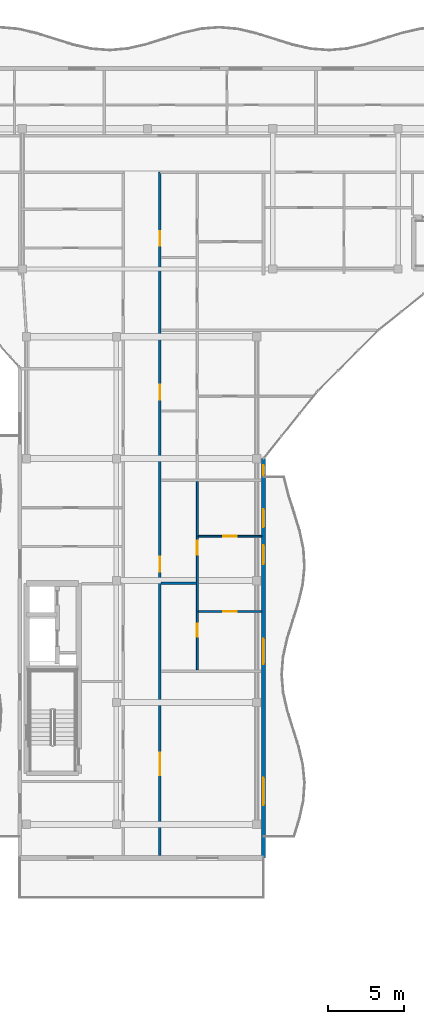
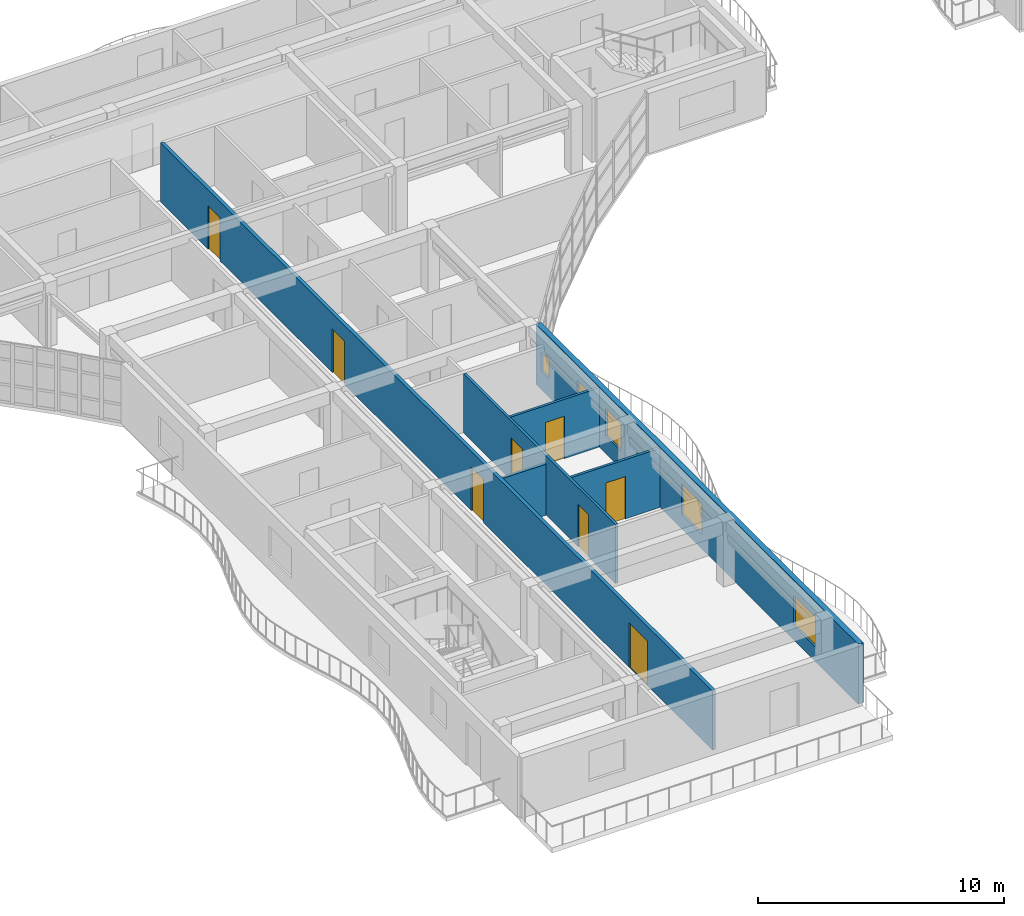
# One storey, part 26 of 54: 9 doors, 6 walls, 4 windows, 13 openings.
"""IFC4 building model written with IfcOpenShell, lengths in metres."""

from ifc_helpers import new_model, si_unit, direction, frame, frame_2d, origin, place, context, subcontext, project, spatial, rectangle, extrude, material, layer, layer_set, type_object, element, fill, save


model = new_model("IFC4")

# Units and contexts
model_context = context("Model", 3, precision=1e-05, world=origin(), true_north=direction((0.0, 1.0)))
body_context = subcontext(model_context, "Body", "Model", "MODEL_VIEW")
ifc_project = project(units=[si_unit("LENGTHUNIT", "METRE"), si_unit("AREAUNIT", "SQUARE_METRE"), si_unit("VOLUMEUNIT", "CUBIC_METRE"), si_unit("PLANEANGLEUNIT", "RADIAN"), si_unit("MASSUNIT", "GRAM", prefix="KILO")], contexts=[model_context])

# Site, building, storey
site_placement = place(None, origin())
site = spatial("IfcSite", under=ifc_project, at=site_placement, CompositionType="ELEMENT")
building_placement = place(site_placement, origin())
building = spatial("IfcBuilding", under=site, at=building_placement, Name="Keldmere Railside Commons", CompositionType="ELEMENT")
storey_placement = place(building_placement, frame((0.0, 0.0, 26.56005859375)))
storey = spatial("IfcBuildingStorey", under=building, at=storey_placement, Name="L08", CompositionType="ELEMENT", Elevation=26.56005859375)

# Wall, openings, doors
ifc_material_1 = material(Name="Acoustic Gypsum Board Partition", Category="gypsum")
ifc_layer_1 = layer(ifc_material_1, 0.1201171875, Name="Apartment Interior Partition 120")
ifc_layer_set_1 = layer_set([ifc_layer_1], Name="Acoustic Gypsum Board Partition")
wall_type_1 = type_object("IfcWallType", Name="Apartment Interior Partition 120", PredefinedType="PARTITIONING", material=ifc_layer_set_1)
wall_1_placement = place(storey_placement, frame((59.659912109375, 74.139892578125, 0.0), z_axis=(0.0, 0.0, 1.0), x_axis=(0.0, 1.0, 0.0)))
wall_1 = element("IfcWall", 1, at=wall_1_placement, inside=storey, type_object=wall_type_1, Name="IW-4 IW-L08-0827", PredefinedType="PARTITIONING", context=body_context, shape_type="SweptSolid", body=[
    extrude(rectangle(XDim=12.35009765625, YDim=0.1201171875, at=frame_2d((6.175048828125, 0.0))), origin(), (0.0, 0.0, 1.0), 2.93505859375),
])
opening_1_placement = place(wall_1_placement, frame((2.158447265625, 0.0, 0.0)))
opening_1 = element("IfcOpeningElement", 2, at=opening_1_placement, cuts=wall_1, Name="Opening ID-04", PredefinedType="OPENING", context=body_context, shape_type="SweptSolid", body=[
    extrude(rectangle(XDim=0.860107421875, YDim=2.10009765625, at=frame_2d((0.43017578125, 1.050048828125))), frame((0.0, 0.070068359375, 0.0), z_axis=(0.0, -1.0, 0.0), x_axis=(1.0, 0.0, 0.0)), (0.0, 0.0, 1.0), 0.14013671875),
])
opening_2_placement = place(wall_1_placement, frame((7.547607421875, 0.0, 0.0)))
opening_2 = element("IfcOpeningElement", 3, at=opening_2_placement, cuts=wall_1, Name="Opening ID-03", PredefinedType="OPENING", context=body_context, shape_type="SweptSolid", body=[
    extrude(rectangle(XDim=0.919921875, YDim=2.10009765625, at=frame_2d((0.4599609375, 1.050048828125))), frame((0.0, 0.070068359375, 0.0), z_axis=(0.0, -1.0, 0.0), x_axis=(1.0, 0.0, 0.0)), (0.0, 0.0, 1.0), 0.14013671875),
])
ifc_material_2 = material(Name="Engineered Oak Timber", Category="wood")
door_type_1 = type_object("IfcDoorType", Name="Apartment Bathroom Door 860x2100", OperationType="NOTDEFINED", PredefinedType="DOOR", material=ifc_material_2)
door_1_placement = place(opening_1_placement, origin())
door_1 = element("IfcDoor", 4, at=door_1_placement, inside=storey, type_object=door_type_1, Name="ID-04 IDR-L08-0704", OperationType="SINGLE_SWING_RIGHT", OverallHeight=2.10009765625, OverallWidth=0.860107421875, PredefinedType="DOOR", context=body_context, shape_type="SweptSolid", body=[
    extrude(rectangle(XDim=0.860107421875, YDim=2.10009765625, at=frame_2d((0.43017578125, 1.050048828125))), frame((0.0, 0.02490234375, 0.0), z_axis=(0.0, -1.0, 0.0), x_axis=(1.0, 0.0, 0.0)), (0.0, 0.0, 1.0), 0.050048828125),
])
fill(opening_1, door_1)
door_type_2 = type_object("IfcDoorType", Name="Kitchen Pocket-Frame Swing Door 920x2100", OperationType="NOTDEFINED", PredefinedType="DOOR", material=ifc_material_2)
door_2_placement = place(opening_2_placement, origin())
door_2 = element("IfcDoor", 5, at=door_2_placement, inside=storey, type_object=door_type_2, Name="ID-03 IDR-L08-0705", OperationType="SINGLE_SWING_LEFT", OverallHeight=2.10009765625, OverallWidth=0.919921875, PredefinedType="DOOR", context=body_context, shape_type="SweptSolid", body=[
    extrude(rectangle(XDim=0.919921875, YDim=2.10009765625, at=frame_2d((0.4599609375, 1.050048828125))), frame((0.0, 0.02490234375, 0.0), z_axis=(0.0, -1.0, 0.0), x_axis=(1.0, 0.0, 0.0)), (0.0, 0.0, 1.0), 0.050048828125),
])
fill(opening_2, door_2)

# Wall, opening, door
wall_2_placement = place(storey_placement, frame((59.719970703125, 77.969970703125, 0.0), z_axis=(0.0, 0.0, 1.0), x_axis=(1.0, 0.0, 0.0)))
wall_2 = element("IfcWall", 6, at=wall_2_placement, inside=storey, type_object=wall_type_1, Name="IW-4 IW-L08-0829", PredefinedType="PARTITIONING", context=body_context, shape_type="SweptSolid", body=[
    extrude(rectangle(XDim=4.159912109375, YDim=0.1201171875, at=frame_2d((2.080078125, 0.0))), origin(), (0.0, 0.0, 1.0), 2.93505859375),
])
opening_3_placement = place(wall_2_placement, frame((1.6298828125, 0.0, 0.0)))
opening_3 = element("IfcOpeningElement", 7, at=opening_3_placement, cuts=wall_2, Name="Opening ID-01", PredefinedType="OPENING", context=body_context, shape_type="SweptSolid", body=[
    extrude(rectangle(XDim=0.89990234375, YDim=2.10009765625, at=frame_2d((0.449951171875, 1.050048828125))), frame((0.0, 0.070068359375, 0.0), z_axis=(0.0, -1.0, 0.0), x_axis=(1.0, 0.0, 0.0)), (0.0, 0.0, 1.0), 0.14013671875),
])
door_type_3 = type_object("IfcDoorType", Name="Primary Bedroom Door 900x2100", OperationType="NOTDEFINED", PredefinedType="DOOR", material=ifc_material_2)
door_3_placement = place(opening_3_placement, origin())
door_3 = element("IfcDoor", 8, at=door_3_placement, inside=storey, type_object=door_type_3, Name="ID-01 IDR-L08-0707", OperationType="SINGLE_SWING_LEFT", OverallHeight=2.10009765625, OverallWidth=0.89990234375, PredefinedType="DOOR", context=body_context, shape_type="SweptSolid", body=[
    extrude(rectangle(XDim=0.89990234375, YDim=2.10009765625, at=frame_2d((0.449951171875, 1.050048828125))), frame((0.0, 0.02490234375, 0.0), z_axis=(0.0, -1.0, 0.0), x_axis=(1.0, 0.0, 0.0)), (0.0, 0.0, 1.0), 0.050048828125),
])
fill(opening_3, door_3)

wall_3_placement = place(storey_placement, frame((59.719970703125, 82.909912109375, 0.0), z_axis=(0.0, 0.0, 1.0), x_axis=(1.0, 0.0, 0.0)))
wall_3 = element("IfcWall", 9, at=wall_3_placement, inside=storey, type_object=wall_type_1, Name="IW-4 IW-L08-0830", PredefinedType="PARTITIONING", context=body_context, shape_type="SweptSolid", body=[
    extrude(rectangle(XDim=4.159912109375, YDim=0.1201171875, at=frame_2d((2.080078125, 0.0))), origin(), (0.0, 0.0, 1.0), 2.93505859375),
])
opening_4_placement = place(wall_3_placement, frame((1.639892578125, 0.0, 0.0)))
opening_4 = element("IfcOpeningElement", 10, at=opening_4_placement, cuts=wall_3, Name="Opening ID-02", PredefinedType="OPENING", context=body_context, shape_type="SweptSolid", body=[
    extrude(rectangle(XDim=0.8798828125, YDim=2.10009765625, at=frame_2d((0.43994140625, 1.050048828125))), frame((0.0, 0.070068359375, 0.0), z_axis=(0.0, -1.0, 0.0), x_axis=(1.0, 0.0, 0.0)), (0.0, 0.0, 1.0), 0.14013671875),
])
door_type_4 = type_object("IfcDoorType", Name="Secondary Bedroom Door 880x2100", OperationType="NOTDEFINED", PredefinedType="DOOR", material=ifc_material_2)
door_4_placement = place(opening_4_placement, origin())
door_4 = element("IfcDoor", 11, at=door_4_placement, inside=storey, type_object=door_type_4, Name="ID-02 IDR-L08-0708", OperationType="SINGLE_SWING_RIGHT", OverallHeight=2.10009765625, OverallWidth=0.8798828125, PredefinedType="DOOR", context=body_context, shape_type="SweptSolid", body=[
    extrude(rectangle(XDim=0.8798828125, YDim=2.10009765625, at=frame_2d((0.43994140625, 1.050048828125))), frame((0.0, 0.02490234375, 0.0), z_axis=(0.0, -1.0, 0.0), x_axis=(1.0, 0.0, 0.0)), (0.0, 0.0, 1.0), 0.050048828125),
])
fill(opening_4, door_4)

# Wall, openings, doors
ifc_layer_2 = layer(ifc_material_1, 0.159912109375, Name="Corridor Fire Partition 160")
ifc_layer_set_2 = layer_set([ifc_layer_2], Name="Acoustic Gypsum Board Partition")
wall_type_2 = type_object("IfcWallType", Name="Corridor Fire Partition 160", PredefinedType="PARTITIONING", material=ifc_layer_set_2)
wall_4_placement = place(storey_placement, frame((57.199951171875, 61.9599609375, 0.0), z_axis=(0.0, 0.0, 1.0), x_axis=(0.0, 1.0, 0.0)))
wall_4 = element("IfcWall", 12, at=wall_4_placement, inside=storey, type_object=wall_type_2, Name="IW-2 IW-L08-0816", PredefinedType="PARTITIONING", context=body_context, shape_type="SweptSolid", body=[
    extrude(rectangle(XDim=44.840087890625, YDim=0.159912109375, at=frame_2d((22.419921875, 0.0))), origin(), (0.0, 0.0, 1.0), 2.93505859375),
])
opening_5_placement = place(wall_4_placement, frame((5.25, 0.0, 0.0)))
opening_5 = element("IfcOpeningElement", 13, at=opening_5_placement, cuts=wall_4, Name="Opening ID-07", PredefinedType="OPENING", context=body_context, shape_type="SweptSolid", body=[
    extrude(rectangle(XDim=1.5, YDim=2.199951171875, at=frame_2d((0.75, 1.10009765625))), frame((0.0, 0.08984375, 0.0), z_axis=(0.0, -1.0, 0.0), x_axis=(1.0, 0.0, 0.0)), (0.0, 0.0, 1.0), 0.179931640625),
])
opening_6_placement = place(wall_4_placement, frame((18.610107421875, 0.0, 0.0)))
opening_6 = element("IfcOpeningElement", 14, at=opening_6_placement, cuts=wall_4, Name="Opening FD-7", PredefinedType="OPENING", context=body_context, shape_type="SweptSolid", body=[
    extrude(rectangle(XDim=0.97998046875, YDim=2.14990234375, at=frame_2d((0.489990234375, 1.074951171875))), frame((0.0, 0.08984375, 0.0), z_axis=(0.0, -1.0, 0.0), x_axis=(1.0, 0.0, 0.0)), (0.0, 0.0, 1.0), 0.179931640625),
])
opening_7_placement = place(wall_4_placement, frame((29.909912109375, 0.0, 0.0)))
opening_7 = element("IfcOpeningElement", 15, at=opening_7_placement, cuts=wall_4, Name="Opening FD-7", PredefinedType="OPENING", context=body_context, shape_type="SweptSolid", body=[
    extrude(rectangle(XDim=0.97998046875, YDim=2.14990234375, at=frame_2d((0.489990234375, 1.074951171875))), frame((0.0, 0.08984375, 0.0), z_axis=(0.0, -1.0, 0.0), x_axis=(1.0, 0.0, 0.0)), (0.0, 0.0, 1.0), 0.179931640625),
])
opening_8_placement = place(wall_4_placement, frame((40.0, 0.0, 0.0)))
opening_8 = element("IfcOpeningElement", 16, at=opening_8_placement, cuts=wall_4, Name="Opening FD-7", PredefinedType="OPENING", context=body_context, shape_type="SweptSolid", body=[
    extrude(rectangle(XDim=0.97998046875, YDim=2.14990234375, at=frame_2d((0.489990234375, 1.074951171875))), frame((0.0, 0.08984375, 0.0), z_axis=(0.0, -1.0, 0.0), x_axis=(1.0, 0.0, 0.0)), (0.0, 0.0, 1.0), 0.179931640625),
])
door_type_5 = type_object("IfcDoorType", Name="Apartment Entrance Acoustic Fire Door 980x2150", OperationType="NOTDEFINED", PredefinedType="DOOR", material=ifc_material_2)
door_5_placement = place(opening_6_placement, origin())
door_5 = element("IfcDoor", 17, at=door_5_placement, inside=storey, type_object=door_type_5, Name="FD-7 IDR-L08-0706", OperationType="SINGLE_SWING_RIGHT", OverallHeight=2.14990234375, OverallWidth=0.97998046875, PredefinedType="DOOR", context=body_context, shape_type="SweptSolid", body=[
    extrude(rectangle(XDim=0.97998046875, YDim=2.14990234375, at=frame_2d((0.489990234375, 1.074951171875))), frame((0.0, 0.02490234375, 0.0), z_axis=(0.0, -1.0, 0.0), x_axis=(1.0, 0.0, 0.0)), (0.0, 0.0, 1.0), 0.050048828125),
])
fill(opening_6, door_5)
door_6_placement = place(opening_7_placement, origin())
door_6 = element("IfcDoor", 18, at=door_6_placement, inside=storey, type_object=door_type_5, Name="FD-7 IDR-L08-0711", OperationType="SINGLE_SWING_LEFT", OverallHeight=2.14990234375, OverallWidth=0.97998046875, PredefinedType="DOOR", context=body_context, shape_type="SweptSolid", body=[
    extrude(rectangle(XDim=0.97998046875, YDim=2.14990234375, at=frame_2d((0.489990234375, 1.074951171875))), frame((0.0, 0.02490234375, 0.0), z_axis=(0.0, -1.0, 0.0), x_axis=(1.0, 0.0, 0.0)), (0.0, 0.0, 1.0), 0.050048828125),
])
fill(opening_7, door_6)
door_7_placement = place(opening_8_placement, origin())
door_7 = element("IfcDoor", 19, at=door_7_placement, inside=storey, type_object=door_type_5, Name="FD-7 IDR-L08-0715", OperationType="SINGLE_SWING_LEFT", OverallHeight=2.14990234375, OverallWidth=0.97998046875, PredefinedType="DOOR", context=body_context, shape_type="SweptSolid", body=[
    extrude(rectangle(XDim=0.97998046875, YDim=2.14990234375, at=frame_2d((0.489990234375, 1.074951171875))), frame((0.0, 0.02490234375, 0.0), z_axis=(0.0, -1.0, 0.0), x_axis=(1.0, 0.0, 0.0)), (0.0, 0.0, 1.0), 0.050048828125),
])
fill(opening_8, door_7)
door_type_6 = type_object("IfcDoorType", Name="Resident Lounge Double Door 1500x2200", OperationType="DOUBLE_DOOR_SINGLE_SWING", PredefinedType="DOOR", material=ifc_material_2)
door_8_placement = place(opening_5_placement, origin())
door_8 = element("IfcDoor", 20, at=door_8_placement, inside=storey, type_object=door_type_6, Name="ID-07 IDR-L08-0703", OperationType="DOUBLE_DOOR_SINGLE_SWING", OverallHeight=2.199951171875, OverallWidth=1.5, PredefinedType="DOOR", context=body_context, shape_type="SweptSolid", body=[
    extrude(rectangle(XDim=1.5, YDim=2.199951171875, at=frame_2d((0.75, 1.10009765625))), frame((0.0, 0.02490234375, 0.0), z_axis=(0.0, -1.0, 0.0), x_axis=(1.0, 0.0, 0.0)), (0.0, 0.0, 1.0), 0.050048828125),
])
fill(opening_5, door_8)

# Wall, openings, door, windows
ifc_material_3 = material(Name="Architectural Precast Concrete H-35 (C35/45)", Category="concrete")
ifc_layer_3 = layer(ifc_material_3, 0.239990234375, Name="Sand-Ochre Precast Cavity Wall 240")
ifc_layer_set_3 = layer_set([ifc_layer_3], Name="Architectural Precast Concrete H-35 (C35/45)")
wall_type_3 = type_object("IfcWallType", Name="Sand-Ochre Precast Cavity Wall 240", PredefinedType="SOLIDWALL", material=ifc_layer_set_3)
wall_5_placement = place(storey_placement, frame((64.0, 88.0, 0.0), z_axis=(0.0, 0.0, 1.0), x_axis=(0.0, -1.0, 0.0)))
wall_5 = element("IfcWall", 21, at=wall_5_placement, inside=storey, type_object=wall_type_3, Name="EW-2 EXTC-L08-0389", PredefinedType="SOLIDWALL", context=body_context, shape_type="SweptSolid", body=[
    extrude(rectangle(XDim=26.199951171875, YDim=0.239990234375, at=frame_2d((13.10009765625, 0.0))), origin(), (0.0, 0.0, 1.0), 2.97998046875),
])
opening_9_placement = place(wall_5_placement, frame((3.316650390625, 0.0, 0.0)))
opening_9 = element("IfcOpeningElement", 22, at=opening_9_placement, cuts=wall_5, Name="Opening BD-01", PredefinedType="OPENING", context=body_context, shape_type="SweptSolid", body=[
    extrude(rectangle(XDim=1.199951171875, YDim=2.199951171875, at=frame_2d((0.60009765625, 1.10009765625))), frame((0.0, 0.1298828125, 0.0), z_axis=(0.0, -1.0, 0.0), x_axis=(1.0, 0.0, 0.0)), (0.0, 0.0, 1.0), 0.260009765625),
])
opening_10_placement = place(wall_5_placement, frame((5.666748046875, 0.0, 0.8701171875)))
opening_10 = element("IfcOpeningElement", 23, at=opening_10_placement, cuts=wall_5, Name="Opening WN-09", PredefinedType="OPENING", context=body_context, shape_type="SweptSolid", body=[
    extrude(rectangle(XDim=1.25, YDim=1.35009765625, at=frame_2d((0.625, 0.675048828125))), frame((0.0, 0.1298828125, 0.0), z_axis=(0.0, -1.0, 0.0), x_axis=(1.0, 0.0, 0.0)), (0.0, 0.0, 1.0), 0.260009765625),
])
opening_11_placement = place(wall_5_placement, frame((11.81005859375, 0.0, 0.719970703125)))
opening_11 = element("IfcOpeningElement", 24, at=opening_11_placement, cuts=wall_5, Name="Opening WN-40", PredefinedType="OPENING", context=body_context, shape_type="SweptSolid", body=[
    extrude(rectangle(XDim=1.679931640625, YDim=1.5, at=frame_2d((0.83984375, 0.75))), frame((0.0, 0.1298828125, 0.0), z_axis=(0.0, -1.0, 0.0), x_axis=(1.0, 0.0, 0.0)), (0.0, 0.0, 1.0), 0.260009765625),
])
opening_12_placement = place(wall_5_placement, frame((20.933349609375, 0.0, 0.719970703125)))
opening_12 = element("IfcOpeningElement", 25, at=opening_12_placement, cuts=wall_5, Name="Opening WN-01", PredefinedType="OPENING", context=body_context, shape_type="SweptSolid", body=[
    extrude(rectangle(XDim=1.800048828125, YDim=1.5, at=frame_2d((0.89990234375, 0.75))), frame((0.0, 0.1298828125, 0.0), z_axis=(0.0, -1.0, 0.0), x_axis=(1.0, 0.0, 0.0)), (0.0, 0.0, 1.0), 0.260009765625),
])
opening_13_placement = place(wall_5_placement, frame((0.429931640625, 0.0, 0.89990234375)))
opening_13 = element("IfcOpeningElement", 26, at=opening_13_placement, cuts=wall_5, Name="Opening WN-15", PredefinedType="OPENING", context=body_context, shape_type="SweptSolid", body=[
    extrude(rectangle(XDim=0.64990234375, YDim=0.949951171875, at=frame_2d((0.324951171875, 0.47509765625))), frame((0.0, 0.1298828125, 0.0), z_axis=(0.0, -1.0, 0.0), x_axis=(1.0, 0.0, 0.0)), (0.0, 0.0, 1.0), 0.260009765625),
])
ifc_material_4 = material(Name="Thermally Broken Aluminium", Category="aluminium")
door_type_7 = type_object("IfcDoorType", Name="Apartment Living Wave-Balcony Glazed Door 1200x2200", OperationType="NOTDEFINED", PredefinedType="DOOR", material=ifc_material_4)
door_9_placement = place(opening_9_placement, origin())
door_9 = element("IfcDoor", 27, at=door_9_placement, inside=storey, type_object=door_type_7, Name="BD-01 DR-L08-0108", OperationType="SINGLE_SWING_RIGHT", OverallHeight=2.199951171875, OverallWidth=1.199951171875, PredefinedType="DOOR", context=body_context, shape_type="SweptSolid", body=[
    extrude(rectangle(XDim=1.199951171875, YDim=2.199951171875, at=frame_2d((0.60009765625, 1.10009765625))), frame((0.0, 0.02490234375, 0.0), z_axis=(0.0, -1.0, 0.0), x_axis=(1.0, 0.0, 0.0)), (0.0, 0.0, 1.0), 0.050048828125),
])
fill(opening_9, door_9)
ifc_material_5 = material(Name="Low-E Insulated Double Glazing", Category="glass")
window_type_1 = type_object("IfcWindowType", Name="Exterior Bathroom Frosted Window 650x950", PartitioningType="SINGLE_PANEL", PredefinedType="WINDOW", material=ifc_material_5)
window_1_placement = place(opening_13_placement, origin())
window_1 = element("IfcWindow", 28, at=window_1_placement, inside=storey, type_object=window_type_1, Name="WN-15 WIN-L08-9066", OverallHeight=0.949951171875, OverallWidth=0.64990234375, PartitioningType="SINGLE_PANEL", PredefinedType="WINDOW", context=body_context, shape_type="SweptSolid", body=[
    extrude(rectangle(XDim=0.64990234375, YDim=0.949951171875, at=frame_2d((0.324951171875, 0.47509765625))), frame((0.0, 0.030029296875, 0.0), z_axis=(0.0, -1.0, 0.0), x_axis=(1.0, 0.0, 0.0)), (0.0, 0.0, 1.0), 0.06005859375),
])
fill(opening_13, window_1)
window_type_2 = type_object("IfcWindowType", Name="Living Room North Casement Window 1800x1500", PartitioningType="SINGLE_PANEL", PredefinedType="WINDOW", material=ifc_material_5)
window_2_placement = place(opening_12_placement, origin())
window_2 = element("IfcWindow", 29, at=window_2_placement, inside=storey, type_object=window_type_2, Name="WN-01 WIN-L08-0309", OverallHeight=1.5, OverallWidth=1.800048828125, PartitioningType="SINGLE_PANEL", PredefinedType="WINDOW", context=body_context, shape_type="SweptSolid", body=[
    extrude(rectangle(XDim=1.800048828125, YDim=1.5, at=frame_2d((0.89990234375, 0.75))), frame((0.0, 0.030029296875, 0.0), z_axis=(0.0, -1.0, 0.0), x_axis=(1.0, 0.0, 0.0)), (0.0, 0.0, 1.0), 0.06005859375),
])
fill(opening_12, window_2)
window_type_3 = type_object("IfcWindowType", Name="Secondary Bedroom Window 1250x1350", PartitioningType="SINGLE_PANEL", PredefinedType="WINDOW", material=ifc_material_5)
window_3_placement = place(opening_10_placement, origin())
window_3 = element("IfcWindow", 30, at=window_3_placement, inside=storey, type_object=window_type_3, Name="WN-09 WIN-L08-0307", OverallHeight=1.35009765625, OverallWidth=1.25, PartitioningType="SINGLE_PANEL", PredefinedType="WINDOW", context=body_context, shape_type="SweptSolid", body=[
    extrude(rectangle(XDim=1.25, YDim=1.35009765625, at=frame_2d((0.625, 0.675048828125))), frame((0.0, 0.030029296875, 0.0), z_axis=(0.0, -1.0, 0.0), x_axis=(1.0, 0.0, 0.0)), (0.0, 0.0, 1.0), 0.06005859375),
])
fill(opening_10, window_3)
window_type_4 = type_object("IfcWindowType", Name="Two-Bed Dining Casement Window 1680x1500", PartitioningType="SINGLE_PANEL", PredefinedType="WINDOW", material=ifc_material_5)
window_4_placement = place(opening_11_placement, origin())
window_4 = element("IfcWindow", 31, at=window_4_placement, inside=storey, type_object=window_type_4, Name="WN-40 WIN-L08-0308", OverallHeight=1.5, OverallWidth=1.679931640625, PartitioningType="SINGLE_PANEL", PredefinedType="WINDOW", context=body_context, shape_type="SweptSolid", body=[
    extrude(rectangle(XDim=1.679931640625, YDim=1.5, at=frame_2d((0.83984375, 0.75))), frame((0.0, 0.030029296875, 0.0), z_axis=(0.0, -1.0, 0.0), x_axis=(1.0, 0.0, 0.0)), (0.0, 0.0, 1.0), 0.06005859375),
])
fill(opening_11, window_4)

# Wall
ifc_layer_4 = layer(ifc_material_1, 0.139892578125, Name="Wet-Room Sanitary Partition 140")
ifc_layer_set_4 = layer_set([ifc_layer_4], Name="Acoustic Gypsum Board Partition")
wall_type_4 = type_object("IfcWallType", Name="Wet-Room Sanitary Partition 140", PredefinedType="PARTITIONING", material=ifc_layer_set_4)
wall_6_placement = place(storey_placement, frame((57.280029296875, 79.820068359375, 0.0), z_axis=(0.0, 0.0, 1.0), x_axis=(1.0, 0.0, 0.0)))
element("IfcWall", 32, at=wall_6_placement, inside=storey, type_object=wall_type_4, Name="IW-5 IW-L08-0828", PredefinedType="PARTITIONING", context=body_context, shape_type="SweptSolid", body=[
    extrude(rectangle(XDim=2.320068359375, YDim=0.139892578125, at=frame_2d((1.16015625, 0.0))), origin(), (0.0, 0.0, 1.0), 2.530029296875),
])

save(model, "model.ifc")
